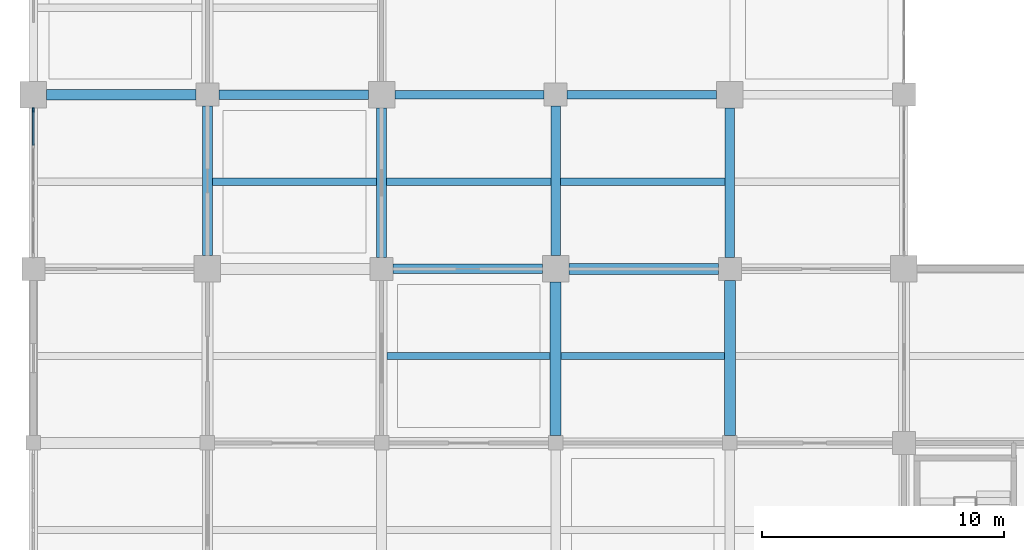
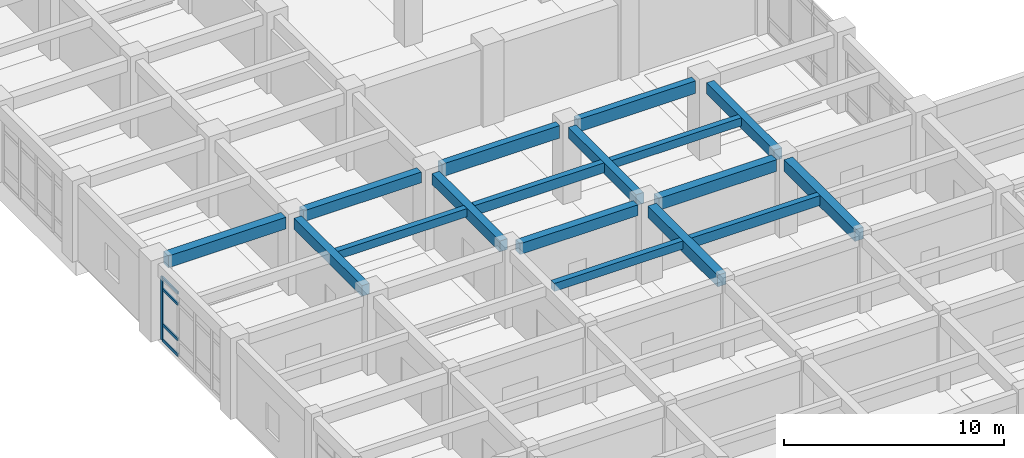
# One storey, part 3 of 81: 17 beams, 5 members, 1 element without a shape of its own.
"""IFC4 building model written with IfcOpenShell, lengths in metres."""

from ifc_helpers import new_model, si_unit, direction, frame, origin, origin_2d, place, context, subcontext, project, spatial, rectangle, extrude, material, layer, layer_set, material_profile, profile_set, type_object, element, aggregate, save


model = new_model("IFC4")

# Units and contexts
model_context = context("Model", 3, precision=1e-05, world=origin(), true_north=direction((0.0, 1.0)))
body_context = subcontext(model_context, "Body", "Model", "MODEL_VIEW")
ifc_project = project(units=[si_unit("LENGTHUNIT", "METRE"), si_unit("AREAUNIT", "SQUARE_METRE"), si_unit("VOLUMEUNIT", "CUBIC_METRE"), si_unit("PLANEANGLEUNIT", "RADIAN"), si_unit("MASSUNIT", "GRAM", prefix="KILO")], contexts=[model_context])

# Site, building, storey
site_placement = place(None, origin())
site = spatial("IfcSite", under=ifc_project, at=site_placement, CompositionType="ELEMENT")
building_placement = place(site_placement, origin())
building = spatial("IfcBuilding", under=site, at=building_placement, Name="Kavelor Marine Aquarium", CompositionType="ELEMENT")
storey_placement = place(building_placement, frame((0.0, 0.0, 4.679931640625)))
storey = spatial("IfcBuildingStorey", under=building, at=storey_placement, Name="L01", CompositionType="ELEMENT", Elevation=4.679931640625)

# Beams
ifc_material_1 = material(Name="Concrete C40/50", Category="concrete")
ifc_material_profile_1 = material_profile(ifc_material_1, rectangle(XDim=0.449951171875, YDim=0.64990234375, at=origin_2d()), Name="RC-BM 450x650")
ifc_profile_set_1 = profile_set([ifc_material_profile_1], Name="Concrete C40/50")
beam_type_1 = type_object("IfcBeamType", Name="BM-B3", PredefinedType="BEAM", material=ifc_profile_set_1)
beam_1_placement = place(storey_placement, frame((3.75, 31.60009765625, 3.875), z_axis=(1.0, 0.0, 0.0), x_axis=(0.0, 1.0, 0.0)))
element("IfcBeam", 1, at=beam_1_placement, inside=storey, type_object=beam_type_1, Name="bm:x:L01:L02:00_04", PredefinedType="BEAM", context=body_context, shape_type="SweptSolid", body=[
    extrude(rectangle(XDim=0.449951171875, YDim=0.64990234375, at=origin_2d()), origin(), (0.0, 0.0, 1.0), 6.175048828125),
])
beam_2_placement = place(storey_placement, frame((25.35009765625, 24.39990234375, 3.875), z_axis=(1.0, 0.0, 0.0), x_axis=(0.0, 1.0, 0.0)))
element("IfcBeam", 2, at=beam_2_placement, inside=storey, type_object=beam_type_1, Name="bm:x:L01:L02:03_03", PredefinedType="BEAM", context=body_context, shape_type="SweptSolid", body=[
    extrude(rectangle(XDim=0.449951171875, YDim=0.64990234375, at=origin_2d()), origin(), (0.0, 0.0, 1.0), 6.1748046875),
])
beam_3_placement = place(storey_placement, frame((24.800048828125, 17.5, 3.93505859375), z_axis=(0.0, 1.0, 0.0), x_axis=(-1.0, 0.0, 0.0)))
element("IfcBeam", 3, at=beam_3_placement, inside=storey, type_object=beam_type_1, Name="bm:y:L01:L02:03_02", PredefinedType="BEAM", context=body_context, shape_type="SweptSolid", body=[
    extrude(rectangle(XDim=0.449951171875, YDim=0.64990234375, at=origin_2d()), origin(), (0.0, 0.0, 1.0), 6.35009765625),
])
beam_4_placement = place(storey_placement, frame((32.0, 17.5, 3.93505859375), z_axis=(0.0, 1.0, 0.0), x_axis=(-1.0, 0.0, 0.0)))
element("IfcBeam", 4, at=beam_4_placement, inside=storey, type_object=beam_type_1, Name="bm:y:L01:L02:04_02", PredefinedType="BEAM", context=body_context, shape_type="SweptSolid", body=[
    extrude(rectangle(XDim=0.449951171875, YDim=0.64990234375, at=origin_2d()), origin(), (0.0, 0.0, 1.0), 6.425048828125),
])
ifc_material_2 = material(Name="Concrete C40/50", Category="concrete")
ifc_material_profile_2 = material_profile(ifc_material_2, rectangle(XDim=0.39990234375, YDim=0.60009765625, at=origin_2d()), Name="RC-BM 400x600")
ifc_profile_set_2 = profile_set([ifc_material_profile_2], Name="Concrete C40/50")
beam_type_2 = type_object("IfcBeamType", Name="BM-B4", PredefinedType="BEAM", material=ifc_profile_set_2)
for number, where, z_axis, x_axis, name in (
    (5, (10.875, 31.60009765625, 3.900146484375), (1.0, 0.0, 0.0), (0.0, 1.0, 0.0), "bm:x:L01:L02:01_04"),
    (6, (18.074951171875, 24.39990234375, 3.920166015625), (1.0, 0.0, 0.0), (0.0, 1.0, 0.0), "bm:x:L01:L02:02_03"),
    (7, (10.39990234375, 24.949951171875, 3.900146484375), (0.0, 1.0, 0.0), (-1.0, 0.0, 0.0), "bm:y:L01:L02:01_03"),
    (8, (17.60009765625, 24.875, 3.900146484375), (0.0, 1.0, 0.0), (-1.0, 0.0, 0.0), "bm:y:L01:L02:02_03"),
    (9, (24.800048828125, 24.949951171875, 3.900146484375), (0.0, 1.0, 0.0), (-1.0, 0.0, 0.0), "bm:y:L01:L02:03_03"),
    (10, (32.0, 24.875, 3.900146484375), (0.0, 1.0, 0.0), (-1.0, 0.0, 0.0), "bm:y:L01:L02:04_03"),
):
    element("IfcBeam", number, at=place(storey_placement, frame(where, z_axis=z_axis, x_axis=x_axis)), inside=storey, type_object=beam_type_2, Name=name, PredefinedType="BEAM", context=body_context, shape_type="SweptSolid", body=[
        extrude(rectangle(XDim=0.39990234375, YDim=0.60009765625, at=origin_2d()), origin(), (0.0, 0.0, 1.0), 6.175048828125),
    ])
ifc_material_3 = material(Name="Concrete C40/50", Category="concrete")
ifc_material_profile_3 = material_profile(ifc_material_3, rectangle(XDim=0.300048828125, YDim=0.449951171875, at=origin_2d()), Name="RC-JS 300x450")
ifc_profile_set_3 = profile_set([ifc_material_profile_3], Name="Concrete C40/50")
beam_type_3 = type_object("IfcBeamType", Name="BM-JS1", PredefinedType="JOIST", material=ifc_profile_set_3)
beam_5_placement = place(storey_placement, frame((10.60009765625, 28.0, 3.97509765625), z_axis=(1.0, 0.0, 0.0), x_axis=(0.0, 1.0, 0.0)))
element("IfcBeam", 11, at=beam_5_placement, inside=storey, type_object=beam_type_3, Name="js:L01:L02:01_03", PredefinedType="JOIST", context=body_context, shape_type="SweptSolid", body=[
    extrude(rectangle(XDim=0.300048828125, YDim=0.449951171875, at=origin_2d()), origin(), (0.0, 0.0, 1.0), 6.7998046875),
])
beam_6_placement = place(storey_placement, frame((17.824951171875, 20.800048828125, 4.03515625), z_axis=(1.0, 0.0, 0.0), x_axis=(0.0, 1.0, 0.0)))
element("IfcBeam", 12, at=beam_6_placement, inside=storey, type_object=beam_type_3, Name="js:L01:L02:02_02", PredefinedType="JOIST", context=body_context, shape_type="SweptSolid", body=[
    extrude(rectangle(XDim=0.300048828125, YDim=0.449951171875, at=origin_2d()), origin(), (0.0, 0.0, 1.0), 6.75),
])
beam_7_placement = place(storey_placement, frame((25.0, 28.0, 3.97509765625), z_axis=(1.0, 0.0, 0.0), x_axis=(0.0, 1.0, 0.0)))
element("IfcBeam", 13, at=beam_7_placement, inside=storey, type_object=beam_type_3, Name="js:L01:L02:03_03", PredefinedType="JOIST", context=body_context, shape_type="SweptSolid", body=[
    extrude(rectangle(XDim=0.300048828125, YDim=0.449951171875, at=origin_2d()), origin(), (0.0, 0.0, 1.0), 6.800048828125),
])
ifc_material_4 = material(Name="Concrete C40/50", Category="concrete")
ifc_material_profile_4 = material_profile(ifc_material_4, rectangle(XDim=0.300048828125, YDim=0.550048828125, at=origin_2d()), Name="RC-JS 300x550")
ifc_profile_set_4 = profile_set([ifc_material_profile_4], Name="Concrete C40/50")
beam_type_4 = type_object("IfcBeamType", Name="BM-JS2", PredefinedType="JOIST", material=ifc_profile_set_4)
beam_8_placement = place(storey_placement, frame((17.800048828125, 28.0, 3.945068359375), z_axis=(1.0, 0.0, 0.0), x_axis=(0.0, 1.0, 0.0)))
element("IfcBeam", 14, at=beam_8_placement, inside=storey, type_object=beam_type_4, Name="js:L01:L02:02_03", PredefinedType="JOIST", context=body_context, shape_type="SweptSolid", body=[
    extrude(rectangle(XDim=0.300048828125, YDim=0.550048828125, at=origin_2d()), origin(), (0.0, 0.0, 1.0), 6.800048828125),
])
beam_9_placement = place(storey_placement, frame((25.02490234375, 20.800048828125, 3.985107421875), z_axis=(1.0, 0.0, 0.0), x_axis=(0.0, 1.0, 0.0)))
element("IfcBeam", 15, at=beam_9_placement, inside=storey, type_object=beam_type_4, Name="js:L01:L02:03_02", PredefinedType="JOIST", context=body_context, shape_type="SweptSolid", body=[
    extrude(rectangle(XDim=0.300048828125, YDim=0.550048828125, at=origin_2d()), origin(), (0.0, 0.0, 1.0), 6.75),
])
ifc_material_5 = material(Name="Concrete C40/50", Category="concrete")
ifc_material_profile_5 = material_profile(ifc_material_5, rectangle(XDim=0.35009765625, YDim=0.699951171875, at=origin_2d()), Name="RC-SP 350x700")
ifc_profile_set_5 = profile_set([ifc_material_profile_5], Name="Concrete C40/50")
beam_type_5 = type_object("IfcBeamType", Name="BM-SP1", PredefinedType="SPANDREL", material=ifc_profile_set_5)
for number, where, z_axis, x_axis, name in (
    (16, (18.14990234375, 31.60009765625, 3.8701171875), (1.0, 0.0, 0.0), (0.0, 1.0, 0.0), "bm:x:L01:L02:02_04"),
    (17, (25.27490234375, 31.60009765625, 3.85009765625), (1.0, 0.0, 0.0), (0.0, 1.0, 0.0), "bm:x:L01:L02:03_04"),
):
    element("IfcBeam", number, at=place(storey_placement, frame(where, z_axis=z_axis, x_axis=x_axis)), inside=storey, type_object=beam_type_5, Name=name, PredefinedType="SPANDREL", context=body_context, shape_type="SweptSolid", body=[
        extrude(rectangle(XDim=0.35009765625, YDim=0.699951171875, at=origin_2d()), origin(), (0.0, 0.0, 1.0), 6.175048828125),
    ])

# Curtain wall, members
ifc_material_6 = material(Name="Thermally Broken Aluminium and Low-E Glass", Category="aluminium")
ifc_layer = layer(ifc_material_6, 0.243896484375)
ifc_layer_set = layer_set([ifc_layer], Name="CW-SYS13")
curtain_wall_type = type_object("IfcCurtainWallType", Name="CW-SYS13", PredefinedType="USERDEFINED", material=ifc_layer_set)
curtain_wall_placement = place(storey_placement, origin())
curtain_wall = element("IfcCurtainWall", 18, at=curtain_wall_placement, inside=storey, type_object=curtain_wall_type, Name="cw:y:L01:00_03", ObjectType="Curtain Wall", PredefinedType="USERDEFINED")
ifc_material_7 = material(Name="Anodised Aluminium Alloy 6063-T6", Category="aluminium")
ifc_material_profile_6 = material_profile(ifc_material_7, rectangle(XDim=0.074951171875, YDim=0.179931640625, at=origin_2d()), Name="CW-MUL 75x180")
ifc_profile_set_6 = profile_set([ifc_material_profile_6], Name="Anodised Aluminium Alloy 6063-T6")
member_type_1 = type_object("IfcMemberType", Name="CWM-1", PredefinedType="MULLION", material=ifc_profile_set_6)
member_1_placement = place(storey_placement, frame((3.199951171875, 30.967529296875, 0.0), z_axis=(0.0, 0.0, 1.0), x_axis=(1.0, 0.0, 0.0)))
member_1 = element("IfcMember", 19, at=member_1_placement, type_object=member_type_1, Name="CW13 mullion 1", PredefinedType="MULLION", context=body_context, shape_type="SweptSolid", body=[
    extrude(rectangle(XDim=0.074951171875, YDim=0.179931640625, at=origin_2d()), origin(), (0.0, 0.0, 1.0), 3.510009765625),
])
ifc_material_8 = material(Name="Anodised Aluminium Alloy 6063-T6", Category="aluminium")
ifc_material_profile_7 = material_profile(ifc_material_8, rectangle(XDim=0.074951171875, YDim=0.14990234375, at=origin_2d()), Name="CW-TRN 75x150")
ifc_profile_set_7 = profile_set([ifc_material_profile_7], Name="Anodised Aluminium Alloy 6063-T6")
member_type_2 = type_object("IfcMemberType", Name="CWT-1", PredefinedType="USERDEFINED", material=ifc_profile_set_7)
member_2_placement = place(storey_placement, frame((3.199951171875, 30.929931640625, 0.03759765625), z_axis=(0.0, -1.0, 0.0), x_axis=(1.0, 0.0, 0.0)))
member_2 = element("IfcMember", 20, at=member_2_placement, type_object=member_type_2, Name="CW13 transom 1.1", ObjectType="TRANSOM", PredefinedType="USERDEFINED", context=body_context, shape_type="SweptSolid", body=[
    extrude(rectangle(XDim=0.074951171875, YDim=0.14990234375, at=origin_2d()), origin(), (0.0, 0.0, 1.0), 1.40869140625),
])
member_3_placement = place(storey_placement, frame((3.199951171875, 30.929931640625, 0.900146484375), z_axis=(0.0, -1.0, 0.0), x_axis=(1.0, 0.0, 0.0)))
member_3 = element("IfcMember", 21, at=member_3_placement, type_object=member_type_2, Name="CW13 transom 1.2", ObjectType="TRANSOM", PredefinedType="USERDEFINED", context=body_context, shape_type="SweptSolid", body=[
    extrude(rectangle(XDim=0.074951171875, YDim=0.14990234375, at=origin_2d()), origin(), (0.0, 0.0, 1.0), 1.40869140625),
])
member_4_placement = place(storey_placement, frame((3.199951171875, 30.929931640625, 2.860107421875), z_axis=(0.0, -1.0, 0.0), x_axis=(1.0, 0.0, 0.0)))
member_4 = element("IfcMember", 22, at=member_4_placement, type_object=member_type_2, Name="CW13 transom 1.3", ObjectType="TRANSOM", PredefinedType="USERDEFINED", context=body_context, shape_type="SweptSolid", body=[
    extrude(rectangle(XDim=0.074951171875, YDim=0.14990234375, at=origin_2d()), origin(), (0.0, 0.0, 1.0), 1.40869140625),
])
member_5_placement = place(storey_placement, frame((3.199951171875, 30.929931640625, 3.47265625), z_axis=(0.0, -1.0, 0.0), x_axis=(1.0, 0.0, 0.0)))
member_5 = element("IfcMember", 23, at=member_5_placement, type_object=member_type_2, Name="CW13 transom 1.4", ObjectType="TRANSOM", PredefinedType="USERDEFINED", context=body_context, shape_type="SweptSolid", body=[
    extrude(rectangle(XDim=0.074951171875, YDim=0.14990234375, at=origin_2d()), origin(), (0.0, 0.0, 1.0), 1.40869140625),
])
aggregate(curtain_wall, [member_1, member_2, member_3, member_4, member_5])

save(model, "model.ifc")
